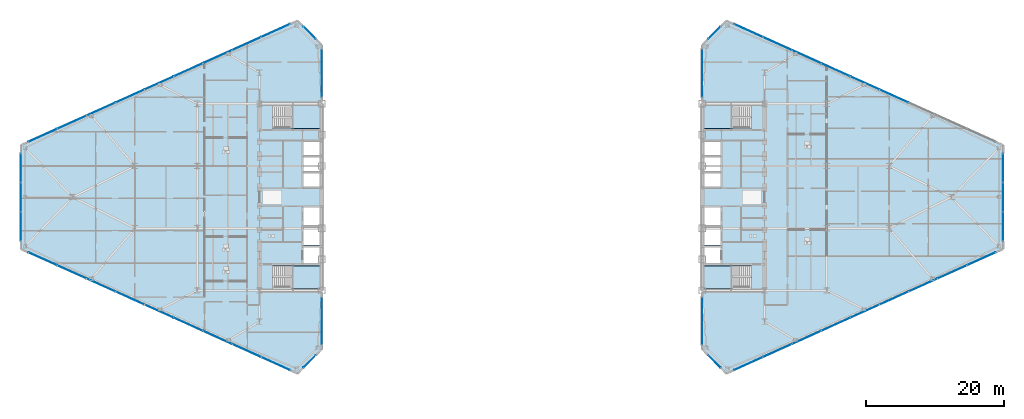
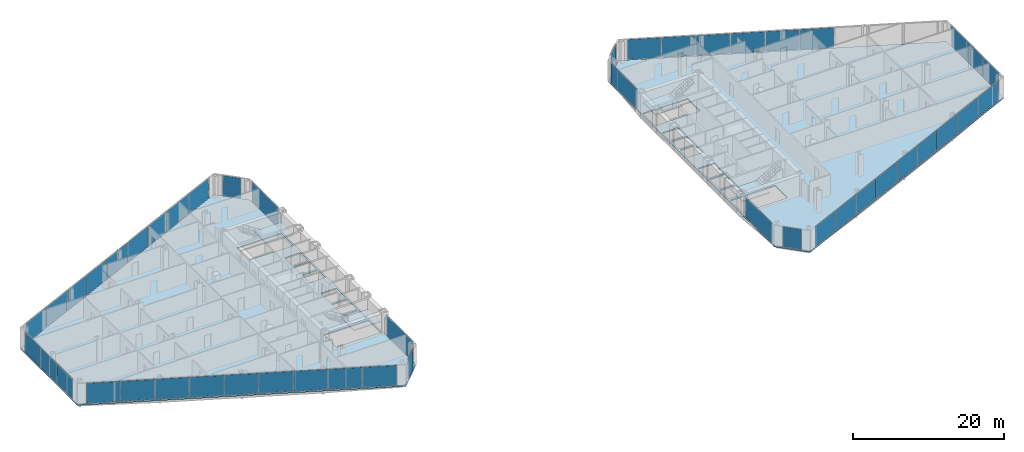
# One storey, part 17 of 27: 47 plates, 6 slabs, 18 elements without a shape of their own.
"""IFC4 building model written with IfcOpenShell, lengths in metres."""

from ifc_helpers import new_model, si_unit, direction, frame, origin, origin_2d, place, context, subcontext, project, spatial, polyline, rectangle, outline, extrude, source, transform, mapped, material, layer, layer_set, type_object, type_shapes, element, aggregate, save


model = new_model("IFC4")

# Units and contexts
model_context = context("Model", 3, precision=1e-05, world=origin(), true_north=direction((0.0, 1.0)))
body_context = subcontext(model_context, "Body", "Model", "MODEL_VIEW")
ifc_project = project(units=[si_unit("LENGTHUNIT", "METRE"), si_unit("AREAUNIT", "SQUARE_METRE"), si_unit("VOLUMEUNIT", "CUBIC_METRE"), si_unit("PLANEANGLEUNIT", "RADIAN"), si_unit("MASSUNIT", "GRAM", prefix="KILO")], contexts=[model_context])

# Site, building, storey
site_placement = place(None, origin())
site = spatial("IfcSite", under=ifc_project, at=site_placement, CompositionType="ELEMENT")
building_placement = place(site_placement, origin())
building = spatial("IfcBuilding", under=site, at=building_placement, Name="Seokmaru Belvedere", CompositionType="ELEMENT")
storey_placement = place(building_placement, frame((0.0, 0.0, 76.5)))
storey = spatial("IfcBuildingStorey", under=building, at=storey_placement, Name="L20", CompositionType="ELEMENT", Elevation=76.5)

# Stair, slab
ifc_material_1 = material(Name="Concrete C40 (40 MPa)", Category="concrete")
stair_type = type_object("IfcStairType", Name="Typical Tower Core Dog-Leg Stair 3600", PredefinedType="TWO_STRAIGHT_RUN_STAIR", material=ifc_material_1)
stair_1_placement = place(storey_placement, origin())
stair_1 = element("IfcStair", 1, at=stair_1_placement, inside=storey, type_object=stair_type, Name="L20 Special Escape Stair ST-W1", PredefinedType="TWO_STRAIGHT_RUN_STAIR")
ifc_layer_1 = layer(ifc_material_1, 0.199951171875)
ifc_layer_set_1 = layer_set([ifc_layer_1], Name="Concrete C40 (40 MPa)")
slab_type_1 = type_object("IfcSlabType", Name="Reinforced Concrete Stair Landing Slab 200", PredefinedType="LANDING", material=ifc_layer_set_1)
slab_1_placement = place(storey_placement, frame((0.0, 0.0, 1.60009765625)))
slab_1 = element("IfcSlab", 2, at=slab_1_placement, type_object=slab_type_1, Name="ST-W1 landing 1", PredefinedType="LANDING", context=body_context, shape_type="SweptSolid", body=[
    extrude(outline(polyline([(-31.8798828125, -13.239990234375), (-27.760009765625, -13.239990234375), (-27.760009765625, -9.949951171875), (-31.8798828125, -9.949951171875), (-31.8798828125, -13.239990234375)])), origin(), (0.0, 0.0, 1.0), 0.199951171875),
])
aggregate(stair_1, [slab_1])

stair_2_placement = place(storey_placement, origin())
stair_2 = element("IfcStair", 3, at=stair_2_placement, inside=storey, type_object=stair_type, Name="L20 Special Escape Stair ST-W2", PredefinedType="TWO_STRAIGHT_RUN_STAIR")
slab_2_placement = place(storey_placement, frame((0.0, 0.0, 1.60009765625)))
slab_2 = element("IfcSlab", 4, at=slab_2_placement, type_object=slab_type_1, Name="ST-W2 landing 1", PredefinedType="LANDING", context=body_context, shape_type="SweptSolid", body=[
    extrude(outline(polyline([(-31.8798828125, 9.949951171875), (-27.760009765625, 9.949951171875), (-27.760009765625, 13.239990234375), (-31.8798828125, 13.239990234375), (-31.8798828125, 9.949951171875)])), origin(), (0.0, 0.0, 1.0), 0.199951171875),
])
aggregate(stair_2, [slab_2])

stair_3_placement = place(storey_placement, origin())
stair_3 = element("IfcStair", 5, at=stair_3_placement, inside=storey, type_object=stair_type, Name="L20 Special Escape Stair ST-E1", PredefinedType="TWO_STRAIGHT_RUN_STAIR")
slab_3_placement = place(storey_placement, frame((0.0, 0.0, 1.60009765625)))
slab_3 = element("IfcSlab", 6, at=slab_3_placement, type_object=slab_type_1, Name="ST-E1 landing 1", PredefinedType="LANDING", context=body_context, shape_type="SweptSolid", body=[
    extrude(outline(polyline([(27.760009765625, -13.239990234375), (31.8798828125, -13.239990234375), (31.8798828125, -9.949951171875), (27.760009765625, -9.949951171875), (27.760009765625, -13.239990234375)])), origin(), (0.0, 0.0, 1.0), 0.199951171875),
])
aggregate(stair_3, [slab_3])

stair_4_placement = place(storey_placement, origin())
stair_4 = element("IfcStair", 7, at=stair_4_placement, inside=storey, type_object=stair_type, Name="L20 Special Escape Stair ST-E2", PredefinedType="TWO_STRAIGHT_RUN_STAIR")
slab_4_placement = place(storey_placement, frame((0.0, 0.0, 1.60009765625)))
slab_4 = element("IfcSlab", 8, at=slab_4_placement, type_object=slab_type_1, Name="ST-E2 landing 1", PredefinedType="LANDING", context=body_context, shape_type="SweptSolid", body=[
    extrude(outline(polyline([(27.760009765625, 9.949951171875), (31.8798828125, 9.949951171875), (31.8798828125, 13.239990234375), (27.760009765625, 13.239990234375), (27.760009765625, 9.949951171875)])), origin(), (0.0, 0.0, 1.0), 0.199951171875),
])
aggregate(stair_4, [slab_4])

# Slabs
ifc_layer_2 = layer(ifc_material_1, 0.219970703125)
ifc_layer_set_2 = layer_set([ifc_layer_2], Name="Concrete C40 (40 MPa)")
slab_type_2 = type_object("IfcSlabType", Name="Typical Tower Composite Floor Slab 220", PredefinedType="FLOOR", material=ifc_layer_set_2)
slab_5_placement = place(storey_placement, frame((0.0, 0.0, -0.219970703125)))
element("IfcSlab", 9, at=slab_5_placement, inside=storey, type_object=slab_type_2, Name="L20 West Leg Floor Slab", PredefinedType="FLOOR", context=body_context, shape_type="SweptSolid", body=[
    extrude(outline(polyline([(-27.5, -22.0), (-27.5, 22.0), (-31.0, 25.5), (-71.0, 7.5), (-71.0, -7.5), (-31.0, -25.5), (-27.5, -22.0)]), holes=[polyline([(-34.60009765625, -13.25), (-27.75, -13.25), (-27.75, -9.949951171875), (-34.60009765625, -9.949951171875), (-34.60009765625, -13.25)]), polyline([(-34.60009765625, 9.949951171875), (-27.75, 9.949951171875), (-27.75, 13.25), (-34.60009765625, 13.25), (-34.60009765625, 9.949951171875)]), polyline([(-30.14990234375, -9.550048828125), (-27.75, -9.550048828125), (-27.75, -7.25), (-30.14990234375, -7.25), (-30.14990234375, -9.550048828125)]), polyline([(-30.14990234375, -6.949951171875), (-27.75, -6.949951171875), (-27.75, -4.35009765625), (-30.14990234375, -4.35009765625), (-30.14990234375, -6.949951171875)]), polyline([(-30.14990234375, -4.050048828125), (-27.75, -4.050048828125), (-27.75, -1.449951171875), (-30.14990234375, -1.449951171875), (-30.14990234375, -4.050048828125)]), polyline([(-30.14990234375, 1.449951171875), (-27.75, 1.449951171875), (-27.75, 3.449951171875), (-30.14990234375, 3.449951171875), (-30.14990234375, 1.449951171875)]), polyline([(-30.14990234375, 3.75), (-27.75, 3.75), (-27.75, 5.75), (-30.14990234375, 5.75), (-30.14990234375, 3.75)]), polyline([(-30.14990234375, 6.050048828125), (-27.75, 6.050048828125), (-27.75, 8.050048828125), (-30.14990234375, 8.050048828125), (-30.14990234375, 6.050048828125)])]), origin(), (0.0, 0.0, 1.0), 0.219970703125),
])
slab_6_placement = place(storey_placement, frame((0.0, 0.0, -0.219970703125)))
element("IfcSlab", 10, at=slab_6_placement, inside=storey, type_object=slab_type_2, Name="L20 East Leg Floor Slab", PredefinedType="FLOOR", context=body_context, shape_type="SweptSolid", body=[
    extrude(outline(polyline([(31.0, -25.5), (71.0, -7.5), (71.0, 7.5), (31.0, 25.5), (27.5, 22.0), (27.5, -22.0), (31.0, -25.5)]), holes=[polyline([(27.75, -13.25), (34.60009765625, -13.25), (34.60009765625, -9.949951171875), (27.75, -9.949951171875), (27.75, -13.25)]), polyline([(27.75, 9.949951171875), (34.60009765625, 9.949951171875), (34.60009765625, 13.25), (27.75, 13.25), (27.75, 9.949951171875)]), polyline([(27.75, -9.550048828125), (30.14990234375, -9.550048828125), (30.14990234375, -7.25), (27.75, -7.25), (27.75, -9.550048828125)]), polyline([(27.75, -6.949951171875), (30.14990234375, -6.949951171875), (30.14990234375, -4.35009765625), (27.75, -4.35009765625), (27.75, -6.949951171875)]), polyline([(27.75, -4.050048828125), (30.14990234375, -4.050048828125), (30.14990234375, -1.449951171875), (27.75, -1.449951171875), (27.75, -4.050048828125)]), polyline([(27.75, 1.449951171875), (30.14990234375, 1.449951171875), (30.14990234375, 3.449951171875), (27.75, 3.449951171875), (27.75, 1.449951171875)]), polyline([(27.75, 3.75), (30.14990234375, 3.75), (30.14990234375, 5.75), (27.75, 5.75), (27.75, 3.75)]), polyline([(27.75, 6.050048828125), (30.14990234375, 6.050048828125), (30.14990234375, 8.050048828125), (27.75, 8.050048828125), (27.75, 6.050048828125)])]), origin(), (0.0, 0.0, 1.0), 0.219970703125),
])

# Curtain wall, plate
ifc_material_2 = material(Name="Bronze Triple Insulating Glass", Category="glass")
ifc_layer_3 = layer(ifc_material_2, 0.195068359375)
ifc_layer_set_3 = layer_set([ifc_layer_3], Name="Bronze Triple Insulating Glass")
curtain_wall_type = type_object("IfcCurtainWallType", Name="Lower-Mid Tapered Curtain Wall System CW-3", PredefinedType="NOTDEFINED", material=ifc_layer_set_3)
curtain_wall_1_placement = place(storey_placement, origin())
curtain_wall_1 = element("IfcCurtainWall", 11, at=curtain_wall_1_placement, inside=storey, type_object=curtain_wall_type, Name="L20 Curtain Wall WSP_1", PredefinedType="NOTDEFINED")
ifc_layer_4 = layer(ifc_material_2, 0.035888671875)
ifc_layer_set_4 = layer_set([ifc_layer_4], Name="Bronze Triple Insulating Glass")
plate_type = type_object("IfcPlateType", Name="Bronze Triple Vision Glazing Panel 36", PredefinedType="CURTAIN_PANEL", material=ifc_layer_set_4)
shared_shape_1 = source(origin(), body_context, "Body", "SweptSolid", [
    extrude(rectangle(XDim=6.909912109375, YDim=0.035888671875, at=origin_2d()), origin(), (0.0, 0.0, 1.0), 3.239990234375),
])
plate_1_placement = place(storey_placement, frame((-27.5, -17.905029296875, 0.06982421875), z_axis=(0.0, 0.0, 1.0), x_axis=(0.0, 1.0, 0.0)))
plate_1 = element("IfcPlate", 12, at=plate_1_placement, type_object=plate_type, Name="CW:L20:WSP_1 Glazing Panel 1-1", PredefinedType="CURTAIN_PANEL", context=body_context, shape_type="MappedRepresentation", body=[
    mapped(shared_shape_1, transform((0.0, 0.0, 0.0), scale=1.0)),
])
aggregate(curtain_wall_1, [plate_1])

curtain_wall_2_placement = place(storey_placement, origin())
curtain_wall_2 = element("IfcCurtainWall", 13, at=curtain_wall_2_placement, inside=storey, type_object=curtain_wall_type, Name="L20 Curtain Wall WSP_2", PredefinedType="NOTDEFINED")
plate_2_placement = place(storey_placement, frame((-27.5, 17.905029296875, 0.06982421875), z_axis=(0.0, 0.0, 1.0), x_axis=(0.0, 1.0, 0.0)))
plate_2 = element("IfcPlate", 14, at=plate_2_placement, type_object=plate_type, Name="CW:L20:WSP_2 Glazing Panel 1-1", PredefinedType="CURTAIN_PANEL", context=body_context, shape_type="MappedRepresentation", body=[
    mapped(shared_shape_1, transform((0.0, 0.0, 0.0), scale=1.0)),
])
aggregate(curtain_wall_2, [plate_2])

curtain_wall_3_placement = place(storey_placement, origin())
curtain_wall_3 = element("IfcCurtainWall", 15, at=curtain_wall_3_placement, inside=storey, type_object=curtain_wall_type, Name="L20 Curtain Wall ESP_1", PredefinedType="NOTDEFINED")
plate_3_placement = place(storey_placement, frame((27.5, -17.905029296875, 0.06982421875), z_axis=(0.0, 0.0, 1.0), x_axis=(0.0, -1.0, 0.0)))
plate_3 = element("IfcPlate", 16, at=plate_3_placement, type_object=plate_type, Name="CW:L20:ESP_1 Glazing Panel 1-1", PredefinedType="CURTAIN_PANEL", context=body_context, shape_type="MappedRepresentation", body=[
    mapped(shared_shape_1, transform((0.0, 0.0, 0.0), scale=1.0)),
])
aggregate(curtain_wall_3, [plate_3])

curtain_wall_4_placement = place(storey_placement, origin())
curtain_wall_4 = element("IfcCurtainWall", 17, at=curtain_wall_4_placement, inside=storey, type_object=curtain_wall_type, Name="L20 Curtain Wall ESP_2", PredefinedType="NOTDEFINED")
plate_4_placement = place(storey_placement, frame((27.5, 17.905029296875, 0.06982421875), z_axis=(0.0, 0.0, 1.0), x_axis=(0.0, -1.0, 0.0)))
plate_4 = element("IfcPlate", 18, at=plate_4_placement, type_object=plate_type, Name="CW:L20:ESP_2 Glazing Panel 1-1", PredefinedType="CURTAIN_PANEL", context=body_context, shape_type="MappedRepresentation", body=[
    mapped(shared_shape_1, transform((0.0, 0.0, 0.0), scale=1.0)),
])
aggregate(curtain_wall_4, [plate_4])

curtain_wall_5_placement = place(storey_placement, origin())
curtain_wall_5 = element("IfcCurtainWall", 19, at=curtain_wall_5_placement, inside=storey, type_object=curtain_wall_type, Name="L20 Curtain Wall WF2", PredefinedType="NOTDEFINED")
shared_shape_2 = source(origin(), body_context, "Body", "SweptSolid", [
    extrude(rectangle(XDim=2.509765625, YDim=0.035888671875, at=origin_2d()), origin(), (0.0, 0.0, 1.0), 3.239990234375),
])
plate_5_placement = place(storey_placement, frame((-29.25, 23.75, 0.06982421875), z_axis=(0.0, 0.0, 1.0), x_axis=(-0.707106781187, 0.707106781187, 0.0)))
plate_5 = element("IfcPlate", 20, at=plate_5_placement, type_object=plate_type, Name="CW:L20:WF2 Glazing Panel 1-1", PredefinedType="CURTAIN_PANEL", context=body_context, shape_type="MappedRepresentation", body=[
    mapped(shared_shape_2, transform((0.0, 0.0, 0.0), scale=1.0)),
])
aggregate(curtain_wall_5, [plate_5])

curtain_wall_6_placement = place(storey_placement, origin())
curtain_wall_6 = element("IfcCurtainWall", 21, at=curtain_wall_6_placement, inside=storey, type_object=curtain_wall_type, Name="L20 Curtain Wall WF6", PredefinedType="NOTDEFINED")
plate_6_placement = place(storey_placement, frame((-29.25, -23.75, 0.06982421875), z_axis=(0.0, 0.0, 1.0), x_axis=(0.707106781187, 0.707106781187, 0.0)))
plate_6 = element("IfcPlate", 22, at=plate_6_placement, type_object=plate_type, Name="CW:L20:WF6 Glazing Panel 1-1", PredefinedType="CURTAIN_PANEL", context=body_context, shape_type="MappedRepresentation", body=[
    mapped(shared_shape_2, transform((0.0, 0.0, 0.0), scale=1.0)),
])
aggregate(curtain_wall_6, [plate_6])

curtain_wall_7_placement = place(storey_placement, origin())
curtain_wall_7 = element("IfcCurtainWall", 23, at=curtain_wall_7_placement, inside=storey, type_object=curtain_wall_type, Name="L20 Curtain Wall EF4", PredefinedType="NOTDEFINED")
plate_7_placement = place(storey_placement, frame((29.25, 23.75, 0.06982421875), z_axis=(0.0, 0.0, 1.0), x_axis=(-0.707106781187, -0.707106781187, 0.0)))
plate_7 = element("IfcPlate", 24, at=plate_7_placement, type_object=plate_type, Name="CW:L20:EF4 Glazing Panel 1-1", PredefinedType="CURTAIN_PANEL", context=body_context, shape_type="MappedRepresentation", body=[
    mapped(shared_shape_2, transform((0.0, 0.0, 0.0), scale=1.0)),
])
aggregate(curtain_wall_7, [plate_7])

curtain_wall_8_placement = place(storey_placement, origin())
curtain_wall_8 = element("IfcCurtainWall", 25, at=curtain_wall_8_placement, inside=storey, type_object=curtain_wall_type, Name="L20 Curtain Wall EF6", PredefinedType="NOTDEFINED")
plate_8_placement = place(storey_placement, frame((29.25, -23.75, 0.06982421875), z_axis=(0.0, 0.0, 1.0), x_axis=(0.707106781187, -0.707106781187, 0.0)))
plate_8 = element("IfcPlate", 26, at=plate_8_placement, type_object=plate_type, Name="CW:L20:EF6 Glazing Panel 1-1", PredefinedType="CURTAIN_PANEL", context=body_context, shape_type="MappedRepresentation", body=[
    mapped(shared_shape_2, transform((0.0, 0.0, 0.0), scale=1.0)),
])
aggregate(curtain_wall_8, [plate_8])

# Curtain wall, plates
curtain_wall_9_placement = place(storey_placement, origin())
curtain_wall_9 = element("IfcCurtainWall", 27, at=curtain_wall_9_placement, inside=storey, type_object=curtain_wall_type, Name="L20 Curtain Wall WF3", PredefinedType="NOTDEFINED")
shared_shape_3 = source(origin(), body_context, "Body", "SweptSolid", [
    extrude(rectangle(XDim=4.51318359375, YDim=0.035888671875, at=origin_2d()), origin(), (0.0, 0.0, 1.0), 3.239990234375),
])
plate_9_placement = place(storey_placement, frame((-34.17041015625, 24.073486328125, 0.06982421875), z_axis=(0.0, 0.0, 1.0), x_axis=(-0.91192111353, -0.41036554765, 0.0)))
plate_9 = element("IfcPlate", 28, at=plate_9_placement, type_object=plate_type, Name="CW:L20:WF3 Glazing Panel 1-1", PredefinedType="CURTAIN_PANEL", context=body_context, shape_type="MappedRepresentation", body=[
    mapped(shared_shape_3, transform((0.0, 0.0, 0.0), scale=1.0)),
])
plate_10_placement = place(storey_placement, frame((-67.82958984375, 8.926513671875, 0.06982421875), z_axis=(0.0, 0.0, 1.0), x_axis=(-0.91192111353, -0.41036554765, 0.0)))
plate_10 = element("IfcPlate", 29, at=plate_10_placement, type_object=plate_type, Name="CW:L20:WF3 Glazing Panel 9-1", PredefinedType="CURTAIN_PANEL", context=body_context, shape_type="MappedRepresentation", body=[
    mapped(shared_shape_3, transform((0.0, 0.0, 0.0), scale=1.0)),
])

curtain_wall_10_placement = place(storey_placement, origin())
curtain_wall_10 = element("IfcCurtainWall", 30, at=curtain_wall_10_placement, inside=storey, type_object=curtain_wall_type, Name="L20 Curtain Wall WF5", PredefinedType="NOTDEFINED")
plate_11_placement = place(storey_placement, frame((-67.82958984375, -8.926513671875, 0.06982421875), z_axis=(0.0, 0.0, 1.0), x_axis=(0.91192111353, -0.41036554765, 0.0)))
plate_11 = element("IfcPlate", 31, at=plate_11_placement, type_object=plate_type, Name="CW:L20:WF5 Glazing Panel 1-1", PredefinedType="CURTAIN_PANEL", context=body_context, shape_type="MappedRepresentation", body=[
    mapped(shared_shape_3, transform((0.0, 0.0, 0.0), scale=1.0)),
])
plate_12_placement = place(storey_placement, frame((-34.17041015625, -24.073486328125, 0.06982421875), z_axis=(0.0, 0.0, 1.0), x_axis=(0.91192111353, -0.41036554765, 0.0)))
plate_12 = element("IfcPlate", 32, at=plate_12_placement, type_object=plate_type, Name="CW:L20:WF5 Glazing Panel 9-1", PredefinedType="CURTAIN_PANEL", context=body_context, shape_type="MappedRepresentation", body=[
    mapped(shared_shape_3, transform((0.0, 0.0, 0.0), scale=1.0)),
])

curtain_wall_11_placement = place(storey_placement, origin())
curtain_wall_11 = element("IfcCurtainWall", 33, at=curtain_wall_11_placement, inside=storey, type_object=curtain_wall_type, Name="L20 Curtain Wall EF1", PredefinedType="NOTDEFINED")
plate_13_placement = place(storey_placement, frame((34.17041015625, -24.073486328125, 0.06982421875), z_axis=(0.0, 0.0, 1.0), x_axis=(0.91192111353, 0.41036554765, 0.0)))
plate_13 = element("IfcPlate", 34, at=plate_13_placement, type_object=plate_type, Name="CW:L20:EF1 Glazing Panel 1-1", PredefinedType="CURTAIN_PANEL", context=body_context, shape_type="MappedRepresentation", body=[
    mapped(shared_shape_3, transform((0.0, 0.0, 0.0), scale=1.0)),
])
plate_14_placement = place(storey_placement, frame((67.82958984375, -8.926513671875, 0.06982421875), z_axis=(0.0, 0.0, 1.0), x_axis=(0.91192111353, 0.41036554765, 0.0)))
plate_14 = element("IfcPlate", 35, at=plate_14_placement, type_object=plate_type, Name="CW:L20:EF1 Glazing Panel 9-1", PredefinedType="CURTAIN_PANEL", context=body_context, shape_type="MappedRepresentation", body=[
    mapped(shared_shape_3, transform((0.0, 0.0, 0.0), scale=1.0)),
])

# Curtain wall, plate
curtain_wall_12_placement = place(storey_placement, origin())
curtain_wall_12 = element("IfcCurtainWall", 36, at=curtain_wall_12_placement, inside=storey, type_object=curtain_wall_type, Name="L20 Curtain Wall EF3", PredefinedType="NOTDEFINED")
plate_15_placement = place(storey_placement, frame((34.17041015625, 24.073486328125, 0.06982421875), z_axis=(0.0, 0.0, 1.0), x_axis=(-0.91192111353, 0.41036554765, 0.0)))
plate_15 = element("IfcPlate", 37, at=plate_15_placement, type_object=plate_type, Name="CW:L20:EF3 Glazing Panel 9-1", PredefinedType="CURTAIN_PANEL", context=body_context, shape_type="MappedRepresentation", body=[
    mapped(shared_shape_3, transform((0.0, 0.0, 0.0), scale=1.0)),
])

# Plate
shared_shape_4 = source(origin(), body_context, "Body", "SweptSolid", [
    extrude(rectangle(XDim=4.548095703125, YDim=0.035888671875, at=origin_2d()), origin(), (0.0, 0.0, 1.0), 3.239990234375),
])
plate_16_placement = place(storey_placement, frame((-38.36572265625, 22.185302734375, 0.06982421875), z_axis=(0.0, 0.0, 1.0), x_axis=(-0.91192111353, -0.41036554765, 0.0)))
plate_16 = element("IfcPlate", 38, at=plate_16_placement, type_object=plate_type, Name="CW:L20:WF3 Glazing Panel 2-1", PredefinedType="CURTAIN_PANEL", context=body_context, shape_type="MappedRepresentation", body=[
    mapped(shared_shape_4, transform((0.0, 0.0, 0.0), scale=1.0)),
])

plate_17_placement = place(storey_placement, frame((-42.5771484375, 20.290283203125, 0.06982421875), z_axis=(0.0, 0.0, 1.0), x_axis=(-0.91192111353, -0.41036554765, 0.0)))
plate_17 = element("IfcPlate", 39, at=plate_17_placement, type_object=plate_type, Name="CW:L20:WF3 Glazing Panel 3-1", PredefinedType="CURTAIN_PANEL", context=body_context, shape_type="MappedRepresentation", body=[
    mapped(shared_shape_4, transform((0.0, 0.0, 0.0), scale=1.0)),
])

plate_18_placement = place(storey_placement, frame((-46.78857421875, 18.39501953125, 0.06982421875), z_axis=(0.0, 0.0, 1.0), x_axis=(-0.91192111353, -0.41036554765, 0.0)))
plate_18 = element("IfcPlate", 40, at=plate_18_placement, type_object=plate_type, Name="CW:L20:WF3 Glazing Panel 4-1", PredefinedType="CURTAIN_PANEL", context=body_context, shape_type="MappedRepresentation", body=[
    mapped(shared_shape_4, transform((0.0, 0.0, 0.0), scale=1.0)),
])

plate_19_placement = place(storey_placement, frame((-51.0, 16.5, 0.06982421875), z_axis=(0.0, 0.0, 1.0), x_axis=(-0.91192111353, -0.41036554765, 0.0)))
plate_19 = element("IfcPlate", 41, at=plate_19_placement, type_object=plate_type, Name="CW:L20:WF3 Glazing Panel 5-1", PredefinedType="CURTAIN_PANEL", context=body_context, shape_type="MappedRepresentation", body=[
    mapped(shared_shape_4, transform((0.0, 0.0, 0.0), scale=1.0)),
])

plate_20_placement = place(storey_placement, frame((-55.21142578125, 14.60498046875, 0.06982421875), z_axis=(0.0, 0.0, 1.0), x_axis=(-0.91192111353, -0.41036554765, 0.0)))
plate_20 = element("IfcPlate", 42, at=plate_20_placement, type_object=plate_type, Name="CW:L20:WF3 Glazing Panel 6-1", PredefinedType="CURTAIN_PANEL", context=body_context, shape_type="MappedRepresentation", body=[
    mapped(shared_shape_4, transform((0.0, 0.0, 0.0), scale=1.0)),
])

plate_21_placement = place(storey_placement, frame((-59.4228515625, 12.709716796875, 0.06982421875), z_axis=(0.0, 0.0, 1.0), x_axis=(-0.91192111353, -0.41036554765, 0.0)))
plate_21 = element("IfcPlate", 43, at=plate_21_placement, type_object=plate_type, Name="CW:L20:WF3 Glazing Panel 7-1", PredefinedType="CURTAIN_PANEL", context=body_context, shape_type="MappedRepresentation", body=[
    mapped(shared_shape_4, transform((0.0, 0.0, 0.0), scale=1.0)),
])

plate_22_placement = place(storey_placement, frame((-63.63427734375, 10.814697265625, 0.06982421875), z_axis=(0.0, 0.0, 1.0), x_axis=(-0.91192111353, -0.41036554765, 0.0)))
plate_22 = element("IfcPlate", 44, at=plate_22_placement, type_object=plate_type, Name="CW:L20:WF3 Glazing Panel 8-1", PredefinedType="CURTAIN_PANEL", context=body_context, shape_type="MappedRepresentation", body=[
    mapped(shared_shape_4, transform((0.0, 0.0, 0.0), scale=1.0)),
])

aggregate(curtain_wall_9, [plate_9, plate_16, plate_17, plate_18, plate_19, plate_20, plate_21, plate_22, plate_10])

plate_23_placement = place(storey_placement, frame((-63.63427734375, -10.814697265625, 0.06982421875), z_axis=(0.0, 0.0, 1.0), x_axis=(0.91192111353, -0.41036554765, 0.0)))
plate_23 = element("IfcPlate", 45, at=plate_23_placement, type_object=plate_type, Name="CW:L20:WF5 Glazing Panel 2-1", PredefinedType="CURTAIN_PANEL", context=body_context, shape_type="MappedRepresentation", body=[
    mapped(shared_shape_4, transform((0.0, 0.0, 0.0), scale=1.0)),
])

plate_24_placement = place(storey_placement, frame((-59.4228515625, -12.709716796875, 0.06982421875), z_axis=(0.0, 0.0, 1.0), x_axis=(0.91192111353, -0.41036554765, 0.0)))
plate_24 = element("IfcPlate", 46, at=plate_24_placement, type_object=plate_type, Name="CW:L20:WF5 Glazing Panel 3-1", PredefinedType="CURTAIN_PANEL", context=body_context, shape_type="MappedRepresentation", body=[
    mapped(shared_shape_4, transform((0.0, 0.0, 0.0), scale=1.0)),
])

plate_25_placement = place(storey_placement, frame((-55.21142578125, -14.60498046875, 0.06982421875), z_axis=(0.0, 0.0, 1.0), x_axis=(0.91192111353, -0.41036554765, 0.0)))
plate_25 = element("IfcPlate", 47, at=plate_25_placement, type_object=plate_type, Name="CW:L20:WF5 Glazing Panel 4-1", PredefinedType="CURTAIN_PANEL", context=body_context, shape_type="MappedRepresentation", body=[
    mapped(shared_shape_4, transform((0.0, 0.0, 0.0), scale=1.0)),
])

plate_26_placement = place(storey_placement, frame((-51.0, -16.5, 0.06982421875), z_axis=(0.0, 0.0, 1.0), x_axis=(0.91192111353, -0.41036554765, 0.0)))
plate_26 = element("IfcPlate", 48, at=plate_26_placement, type_object=plate_type, Name="CW:L20:WF5 Glazing Panel 5-1", PredefinedType="CURTAIN_PANEL", context=body_context, shape_type="MappedRepresentation", body=[
    mapped(shared_shape_4, transform((0.0, 0.0, 0.0), scale=1.0)),
])

plate_27_placement = place(storey_placement, frame((-46.78857421875, -18.39501953125, 0.06982421875), z_axis=(0.0, 0.0, 1.0), x_axis=(0.91192111353, -0.41036554765, 0.0)))
plate_27 = element("IfcPlate", 49, at=plate_27_placement, type_object=plate_type, Name="CW:L20:WF5 Glazing Panel 6-1", PredefinedType="CURTAIN_PANEL", context=body_context, shape_type="MappedRepresentation", body=[
    mapped(shared_shape_4, transform((0.0, 0.0, 0.0), scale=1.0)),
])

plate_28_placement = place(storey_placement, frame((-42.5771484375, -20.290283203125, 0.06982421875), z_axis=(0.0, 0.0, 1.0), x_axis=(0.91192111353, -0.41036554765, 0.0)))
plate_28 = element("IfcPlate", 50, at=plate_28_placement, type_object=plate_type, Name="CW:L20:WF5 Glazing Panel 7-1", PredefinedType="CURTAIN_PANEL", context=body_context, shape_type="MappedRepresentation", body=[
    mapped(shared_shape_4, transform((0.0, 0.0, 0.0), scale=1.0)),
])

plate_29_placement = place(storey_placement, frame((-38.36572265625, -22.185302734375, 0.06982421875), z_axis=(0.0, 0.0, 1.0), x_axis=(0.91192111353, -0.41036554765, 0.0)))
plate_29 = element("IfcPlate", 51, at=plate_29_placement, type_object=plate_type, Name="CW:L20:WF5 Glazing Panel 8-1", PredefinedType="CURTAIN_PANEL", context=body_context, shape_type="MappedRepresentation", body=[
    mapped(shared_shape_4, transform((0.0, 0.0, 0.0), scale=1.0)),
])

aggregate(curtain_wall_10, [plate_11, plate_23, plate_24, plate_25, plate_26, plate_27, plate_28, plate_29, plate_12])

plate_30_placement = place(storey_placement, frame((38.36572265625, -22.185302734375, 0.06982421875), z_axis=(0.0, 0.0, 1.0), x_axis=(0.91192111353, 0.41036554765, 0.0)))
plate_30 = element("IfcPlate", 52, at=plate_30_placement, type_object=plate_type, Name="CW:L20:EF1 Glazing Panel 2-1", PredefinedType="CURTAIN_PANEL", context=body_context, shape_type="MappedRepresentation", body=[
    mapped(shared_shape_4, transform((0.0, 0.0, 0.0), scale=1.0)),
])

plate_31_placement = place(storey_placement, frame((42.5771484375, -20.290283203125, 0.06982421875), z_axis=(0.0, 0.0, 1.0), x_axis=(0.91192111353, 0.41036554765, 0.0)))
plate_31 = element("IfcPlate", 53, at=plate_31_placement, type_object=plate_type, Name="CW:L20:EF1 Glazing Panel 3-1", PredefinedType="CURTAIN_PANEL", context=body_context, shape_type="MappedRepresentation", body=[
    mapped(shared_shape_4, transform((0.0, 0.0, 0.0), scale=1.0)),
])

plate_32_placement = place(storey_placement, frame((46.78857421875, -18.39501953125, 0.06982421875), z_axis=(0.0, 0.0, 1.0), x_axis=(0.91192111353, 0.41036554765, 0.0)))
plate_32 = element("IfcPlate", 54, at=plate_32_placement, type_object=plate_type, Name="CW:L20:EF1 Glazing Panel 4-1", PredefinedType="CURTAIN_PANEL", context=body_context, shape_type="MappedRepresentation", body=[
    mapped(shared_shape_4, transform((0.0, 0.0, 0.0), scale=1.0)),
])

plate_33_placement = place(storey_placement, frame((51.0, -16.5, 0.06982421875), z_axis=(0.0, 0.0, 1.0), x_axis=(0.91192111353, 0.41036554765, 0.0)))
plate_33 = element("IfcPlate", 55, at=plate_33_placement, type_object=plate_type, Name="CW:L20:EF1 Glazing Panel 5-1", PredefinedType="CURTAIN_PANEL", context=body_context, shape_type="MappedRepresentation", body=[
    mapped(shared_shape_4, transform((0.0, 0.0, 0.0), scale=1.0)),
])

plate_34_placement = place(storey_placement, frame((55.21142578125, -14.60498046875, 0.06982421875), z_axis=(0.0, 0.0, 1.0), x_axis=(0.91192111353, 0.41036554765, 0.0)))
plate_34 = element("IfcPlate", 56, at=plate_34_placement, type_object=plate_type, Name="CW:L20:EF1 Glazing Panel 6-1", PredefinedType="CURTAIN_PANEL", context=body_context, shape_type="MappedRepresentation", body=[
    mapped(shared_shape_4, transform((0.0, 0.0, 0.0), scale=1.0)),
])

plate_35_placement = place(storey_placement, frame((59.4228515625, -12.709716796875, 0.06982421875), z_axis=(0.0, 0.0, 1.0), x_axis=(0.91192111353, 0.41036554765, 0.0)))
plate_35 = element("IfcPlate", 57, at=plate_35_placement, type_object=plate_type, Name="CW:L20:EF1 Glazing Panel 7-1", PredefinedType="CURTAIN_PANEL", context=body_context, shape_type="MappedRepresentation", body=[
    mapped(shared_shape_4, transform((0.0, 0.0, 0.0), scale=1.0)),
])

plate_36_placement = place(storey_placement, frame((63.63427734375, -10.814697265625, 0.06982421875), z_axis=(0.0, 0.0, 1.0), x_axis=(0.91192111353, 0.41036554765, 0.0)))
plate_36 = element("IfcPlate", 58, at=plate_36_placement, type_object=plate_type, Name="CW:L20:EF1 Glazing Panel 8-1", PredefinedType="CURTAIN_PANEL", context=body_context, shape_type="MappedRepresentation", body=[
    mapped(shared_shape_4, transform((0.0, 0.0, 0.0), scale=1.0)),
])

aggregate(curtain_wall_11, [plate_13, plate_30, plate_31, plate_32, plate_33, plate_34, plate_35, plate_36, plate_14])

plate_37_placement = place(storey_placement, frame((55.21142578125, 14.60498046875, 0.06982421875), z_axis=(0.0, 0.0, 1.0), x_axis=(-0.91192111353, 0.41036554765, 0.0)))
plate_37 = element("IfcPlate", 59, at=plate_37_placement, type_object=plate_type, Name="CW:L20:EF3 Glazing Panel 4-1", PredefinedType="CURTAIN_PANEL", context=body_context, shape_type="MappedRepresentation", body=[
    mapped(shared_shape_4, transform((0.0, 0.0, 0.0), scale=1.0)),
])

plate_38_placement = place(storey_placement, frame((51.0, 16.5, 0.06982421875), z_axis=(0.0, 0.0, 1.0), x_axis=(-0.91192111353, 0.41036554765, 0.0)))
plate_38 = element("IfcPlate", 60, at=plate_38_placement, type_object=plate_type, Name="CW:L20:EF3 Glazing Panel 5-1", PredefinedType="CURTAIN_PANEL", context=body_context, shape_type="MappedRepresentation", body=[
    mapped(shared_shape_4, transform((0.0, 0.0, 0.0), scale=1.0)),
])

plate_39_placement = place(storey_placement, frame((46.78857421875, 18.39501953125, 0.06982421875), z_axis=(0.0, 0.0, 1.0), x_axis=(-0.91192111353, 0.41036554765, 0.0)))
plate_39 = element("IfcPlate", 61, at=plate_39_placement, type_object=plate_type, Name="CW:L20:EF3 Glazing Panel 6-1", PredefinedType="CURTAIN_PANEL", context=body_context, shape_type="MappedRepresentation", body=[
    mapped(shared_shape_4, transform((0.0, 0.0, 0.0), scale=1.0)),
])

plate_40_placement = place(storey_placement, frame((42.5771484375, 20.290283203125, 0.06982421875), z_axis=(0.0, 0.0, 1.0), x_axis=(-0.91192111353, 0.41036554765, 0.0)))
plate_40 = element("IfcPlate", 62, at=plate_40_placement, type_object=plate_type, Name="CW:L20:EF3 Glazing Panel 7-1", PredefinedType="CURTAIN_PANEL", context=body_context, shape_type="MappedRepresentation", body=[
    mapped(shared_shape_4, transform((0.0, 0.0, 0.0), scale=1.0)),
])

plate_41_placement = place(storey_placement, frame((38.36572265625, 22.185302734375, 0.06982421875), z_axis=(0.0, 0.0, 1.0), x_axis=(-0.91192111353, 0.41036554765, 0.0)))
plate_41 = element("IfcPlate", 63, at=plate_41_placement, type_object=plate_type, Name="CW:L20:EF3 Glazing Panel 8-1", PredefinedType="CURTAIN_PANEL", context=body_context, shape_type="MappedRepresentation", body=[
    mapped(shared_shape_4, transform((0.0, 0.0, 0.0), scale=1.0)),
])

aggregate(curtain_wall_12, [plate_37, plate_38, plate_39, plate_40, plate_41, plate_15])

# Curtain wall, plates
curtain_wall_13_placement = place(storey_placement, origin())
curtain_wall_13 = element("IfcCurtainWall", 64, at=curtain_wall_13_placement, inside=storey, type_object=curtain_wall_type, Name="L20 Curtain Wall WF4", PredefinedType="NOTDEFINED")
shared_shape_5 = source(origin(), body_context, "Body", "SweptSolid", [
    extrude(rectangle(XDim=4.12841796875, YDim=0.035888671875, at=origin_2d()), origin(), (0.0, 0.0, 1.0), 3.239990234375),
])
plate_42_placement = place(storey_placement, frame((-71.0, 4.2158203125, 0.06982421875), z_axis=(0.0, 0.0, 1.0), x_axis=(0.0, -1.0, 0.0)))
plate_42 = element("IfcPlate", 65, at=plate_42_placement, type_object=plate_type, Name="CW:L20:WF4 Glazing Panel 1-1", PredefinedType="CURTAIN_PANEL", context=body_context, shape_type="MappedRepresentation", body=[
    mapped(shared_shape_5, transform((0.0, 0.0, 0.0), scale=1.0)),
])
plate_43_placement = place(storey_placement, frame((-71.0, -4.2158203125, 0.06982421875), z_axis=(0.0, 0.0, 1.0), x_axis=(0.0, -1.0, 0.0)))
plate_43 = element("IfcPlate", 66, at=plate_43_placement, type_object=plate_type, Name="CW:L20:WF4 Glazing Panel 3-1", PredefinedType="CURTAIN_PANEL", context=body_context, shape_type="MappedRepresentation", body=[
    mapped(shared_shape_5, transform((0.0, 0.0, 0.0), scale=1.0)),
])

curtain_wall_14_placement = place(storey_placement, origin())
curtain_wall_14 = element("IfcCurtainWall", 67, at=curtain_wall_14_placement, inside=storey, type_object=curtain_wall_type, Name="L20 Curtain Wall EF2", PredefinedType="NOTDEFINED")
plate_44_placement = place(storey_placement, frame((71.0, -4.2158203125, 0.06982421875), z_axis=(0.0, 0.0, 1.0), x_axis=(0.0, 1.0, 0.0)))
plate_44 = element("IfcPlate", 68, at=plate_44_placement, type_object=plate_type, Name="CW:L20:EF2 Glazing Panel 1-1", PredefinedType="CURTAIN_PANEL", context=body_context, shape_type="MappedRepresentation", body=[
    mapped(shared_shape_5, transform((0.0, 0.0, 0.0), scale=1.0)),
])
plate_45_placement = place(storey_placement, frame((71.0, 4.2158203125, 0.06982421875), z_axis=(0.0, 0.0, 1.0), x_axis=(0.0, 1.0, 0.0)))
plate_45 = element("IfcPlate", 69, at=plate_45_placement, type_object=plate_type, Name="CW:L20:EF2 Glazing Panel 3-1", PredefinedType="CURTAIN_PANEL", context=body_context, shape_type="MappedRepresentation", body=[
    mapped(shared_shape_5, transform((0.0, 0.0, 0.0), scale=1.0)),
])

# Plate
shared_shape_6 = source(origin(), body_context, "Body", "SweptSolid", [
    extrude(rectangle(XDim=4.163330078125, YDim=0.035888671875, at=origin_2d()), origin(), (0.0, 0.0, 1.0), 3.239990234375),
])
type_shapes(plate_type, [shared_shape_1, shared_shape_2, shared_shape_3, shared_shape_4, shared_shape_5, shared_shape_6])
plate_46_placement = place(storey_placement, frame((-71.0, 0.0, 0.06982421875), z_axis=(0.0, 0.0, 1.0), x_axis=(0.0, -1.0, 0.0)))
plate_46 = element("IfcPlate", 70, at=plate_46_placement, type_object=plate_type, Name="CW:L20:WF4 Glazing Panel 2-1", PredefinedType="CURTAIN_PANEL", context=body_context, shape_type="MappedRepresentation", body=[
    mapped(shared_shape_6, transform((0.0, 0.0, 0.0), scale=1.0)),
])

aggregate(curtain_wall_13, [plate_42, plate_46, plate_43])

plate_47_placement = place(storey_placement, frame((71.0, 0.0, 0.06982421875), z_axis=(0.0, 0.0, 1.0), x_axis=(0.0, 1.0, 0.0)))
plate_47 = element("IfcPlate", 71, at=plate_47_placement, type_object=plate_type, Name="CW:L20:EF2 Glazing Panel 2-1", PredefinedType="CURTAIN_PANEL", context=body_context, shape_type="MappedRepresentation", body=[
    mapped(shared_shape_6, transform((0.0, 0.0, 0.0), scale=1.0)),
])

aggregate(curtain_wall_14, [plate_44, plate_47, plate_45])

save(model, "model.ifc")
